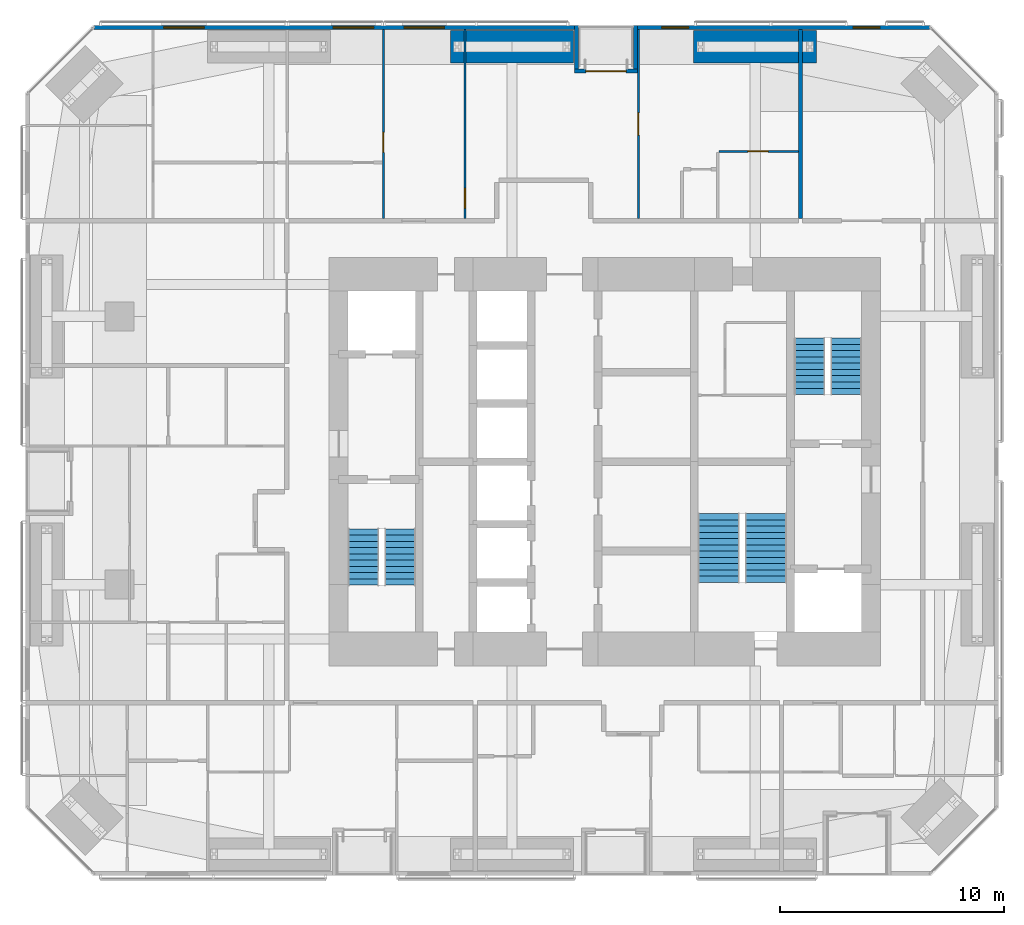
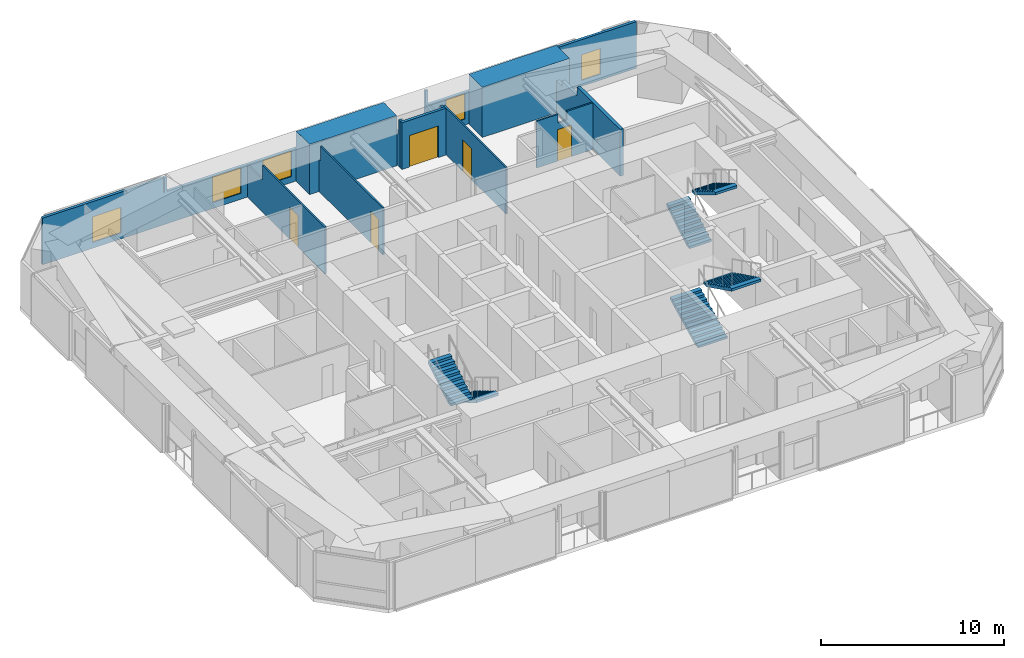
# One storey, part 22 of 23: 12 walls, 6 stair flights, 5 doors, 5 windows, 10 openings, 3 elements without a shape of their own.
"""IFC4 building model written with IfcOpenShell, lengths in metres."""

from ifc_helpers import new_model, si_unit, direction, frame, frame_2d, origin, place, context, subcontext, project, spatial, polyline, rectangle, outline, extrude, material, layer, layer_set, constituent, constituent_set, type_object, element, fill, aggregate, save


model = new_model("IFC4")

# Units and contexts
model_context = context("Model", 3, precision=1e-05, world=origin(), true_north=direction((0.0, 1.0)))
body_context = subcontext(model_context, "Body", "Model", "MODEL_VIEW")
ifc_project = project(units=[si_unit("LENGTHUNIT", "METRE"), si_unit("AREAUNIT", "SQUARE_METRE"), si_unit("VOLUMEUNIT", "CUBIC_METRE"), si_unit("PLANEANGLEUNIT", "RADIAN"), si_unit("MASSUNIT", "GRAM", prefix="KILO")], contexts=[model_context])

# Site, building, storey
site_placement = place(None, origin())
site = spatial("IfcSite", under=ifc_project, at=site_placement, CompositionType="ELEMENT")
building_placement = place(site_placement, origin())
building = spatial("IfcBuilding", under=site, at=building_placement, Name="Jalousie Tower", CompositionType="ELEMENT")
storey_placement = place(building_placement, frame((0.0, 0.0, 111.550048828125)))
storey = spatial("IfcBuildingStorey", under=building, at=storey_placement, Name="L30", CompositionType="ELEMENT", Elevation=111.550048828125)

# Wall, openings, windows
ifc_material_1 = material(Name="Concrete f'c 40 MPa", Category="concrete")
ifc_constituent_1 = constituent(ifc_material_1, Name="Body")
ifc_material_2 = material(Name="Render, pastel sea green")
ifc_constituent_2 = constituent(ifc_material_2, Name="Finish")
ifc_constituent_set_1 = constituent_set(constituents=[ifc_constituent_1, ifc_constituent_2])
wall_type_1 = type_object("IfcWallType", Name="EXTERNAL WALL 175 SEA GREEN RENDER", PredefinedType="SOLIDWALL", material=ifc_constituent_set_1)
wall_1_placement = place(storey_placement, frame((46.44873046875, 37.91259765625, 0.0), z_axis=(0.0, 0.0, 1.0), x_axis=(-1.0, 0.0, 0.0)))
wall_1 = element("IfcWall", 1, at=wall_1_placement, inside=storey, type_object=wall_type_1, Name="External Wall 175 Sea Green Render L30", PredefinedType="SOLIDWALL", context=body_context, shape_type="SweptSolid", body=[
    extrude(outline(polyline([(0.0, 0.0), (13.09814453125, 0.0), (13.09814453125, 2.14990234375), (7.82373046875, 2.14990234375), (7.82373046875, 3.10986328125), (7.66552734375, 3.10986328125), (7.66552734375, 2.14990234375), (7.620361328125, 2.14990234375), (7.620361328125, 3.10986328125), (0.0, 3.10986328125), (0.0, 0.0)])), frame((0.0, 0.08740234375, 0.0), z_axis=(0.0, -1.0, 0.0), x_axis=(1.0, 0.0, 0.0)), (0.0, 0.0, 1.0), 0.175048828125),
])
opening_1_placement = place(wall_1_placement, frame((2.24951171875, 0.0, 0.39990234375)))
opening_1 = element("IfcOpeningElement", 2, at=opening_1_placement, cuts=wall_1, Name="Opening W-COR170", PredefinedType="OPENING", context=body_context, shape_type="SweptSolid", body=[
    extrude(rectangle(XDim=1.199951171875, YDim=1.699951171875, at=frame_2d((0.60009765625, 0.85009765625))), frame((0.0, 0.097412109375, 0.0), z_axis=(0.0, -1.0, 0.0), x_axis=(1.0, 0.0, 0.0)), (0.0, 0.0, 1.0), 0.195068359375),
])
opening_2_placement = place(wall_1_placement, frame((10.798095703125, 0.0, 0.39990234375)))
opening_2 = element("IfcOpeningElement", 3, at=opening_2_placement, cuts=wall_1, Name="Opening W-COR170", PredefinedType="OPENING", context=body_context, shape_type="SweptSolid", body=[
    extrude(rectangle(XDim=1.199951171875, YDim=1.699951171875, at=frame_2d((0.60009765625, 0.85009765625))), frame((0.0, 0.097412109375, 0.0), z_axis=(0.0, -1.0, 0.0), x_axis=(1.0, 0.0, 0.0)), (0.0, 0.0, 1.0), 0.195068359375),
])
ifc_material_3 = material(Name="Aluminium frame, impact-rated glazing", Category="aluminium")
window_type_1 = type_object("IfcWindowType", Name="WINDOW COR 1200x1700", PartitioningType="SINGLE_PANEL", PredefinedType="WINDOW", material=ifc_material_3)
window_1_placement = place(opening_1_placement, origin())
window_1 = element("IfcWindow", 4, at=window_1_placement, inside=storey, type_object=window_type_1, Name="Residents' games room window", OverallHeight=1.699951171875, OverallWidth=1.199951171875, PartitioningType="SINGLE_PANEL", PredefinedType="WINDOW", context=body_context, shape_type="SweptSolid", body=[
    extrude(rectangle(XDim=1.199951171875, YDim=1.699951171875, at=frame_2d((0.60009765625, 0.85009765625))), frame((0.0, 0.030029296875, 0.0), z_axis=(0.0, -1.0, 0.0), x_axis=(1.0, 0.0, 0.0)), (0.0, 0.0, 1.0), 0.06005859375),
])
fill(opening_1, window_1)
window_2_placement = place(opening_2_placement, origin())
window_2 = element("IfcWindow", 5, at=window_2_placement, inside=storey, type_object=window_type_1, Name="Apartment 3004 dining room window", OverallHeight=1.699951171875, OverallWidth=1.199951171875, PartitioningType="SINGLE_PANEL", PredefinedType="WINDOW", context=body_context, shape_type="SweptSolid", body=[
    extrude(rectangle(XDim=1.199951171875, YDim=1.699951171875, at=frame_2d((0.60009765625, 0.85009765625))), frame((0.0, 0.030029296875, 0.0), z_axis=(0.0, -1.0, 0.0), x_axis=(1.0, 0.0, 0.0)), (0.0, 0.0, 1.0), 0.06005859375),
])
fill(opening_2, window_2)

wall_2_placement = place(storey_placement, frame((30.550537109375, 37.91259765625, 0.0), z_axis=(0.0, 0.0, 1.0), x_axis=(-1.0, 0.0, 0.0)))
wall_2 = element("IfcWall", 6, at=wall_2_placement, inside=storey, type_object=wall_type_1, Name="External Wall 175 Sea Green Render L30", PredefinedType="SOLIDWALL", context=body_context, shape_type="SweptSolid", body=[
    extrude(outline(polyline([(0.0, 0.0), (21.499267578125, 0.0), (21.499267578125, 3.10986328125), (13.87890625, 3.10986328125), (13.87890625, 2.14990234375), (13.833740234375, 2.14990234375), (13.833740234375, 3.10986328125), (13.675537109375, 3.10986328125), (13.675537109375, 2.14990234375), (0.0, 2.14990234375), (0.0, 0.0)])), frame((0.0, 0.08740234375, 0.0), z_axis=(0.0, -1.0, 0.0), x_axis=(1.0, 0.0, 0.0)), (0.0, 0.0, 1.0), 0.175048828125),
])
opening_3_placement = place(wall_2_placement, frame((5.82568359375, 0.0, 0.39990234375)))
opening_3 = element("IfcOpeningElement", 7, at=opening_3_placement, cuts=wall_2, Name="Opening W-BED170", PredefinedType="OPENING", context=body_context, shape_type="SweptSolid", body=[
    extrude(rectangle(XDim=1.800048828125, YDim=1.699951171875, at=frame_2d((0.89990234375, 0.85009765625))), frame((0.0, 0.097412109375, 0.0), z_axis=(0.0, -1.0, 0.0), x_axis=(1.0, 0.0, 0.0)), (0.0, 0.0, 1.0), 0.195068359375),
])
opening_4_placement = place(wall_2_placement, frame((8.9931640625, 0.0, 0.39990234375)))
opening_4 = element("IfcOpeningElement", 8, at=opening_4_placement, cuts=wall_2, Name="Opening W-BED170", PredefinedType="OPENING", context=body_context, shape_type="SweptSolid", body=[
    extrude(rectangle(XDim=1.800048828125, YDim=1.699951171875, at=frame_2d((0.89990234375, 0.85009765625))), frame((0.0, 0.097412109375, 0.0), z_axis=(0.0, -1.0, 0.0), x_axis=(1.0, 0.0, 0.0)), (0.0, 0.0, 1.0), 0.195068359375),
])
opening_5_placement = place(wall_2_placement, frame((16.565673828125, 0.0, 0.39990234375)))
opening_5 = element("IfcOpeningElement", 9, at=opening_5_placement, cuts=wall_2, Name="Opening W-BED170", PredefinedType="OPENING", context=body_context, shape_type="SweptSolid", body=[
    extrude(rectangle(XDim=1.800048828125, YDim=1.699951171875, at=frame_2d((0.89990234375, 0.85009765625))), frame((0.0, 0.097412109375, 0.0), z_axis=(0.0, -1.0, 0.0), x_axis=(1.0, 0.0, 0.0)), (0.0, 0.0, 1.0), 0.195068359375),
])
ifc_material_4 = material(Name="Aluminium frame, impact-rated glazing", Category="aluminium")
window_type_2 = type_object("IfcWindowType", Name="WINDOW BED 1800x1700", PartitioningType="SINGLE_PANEL", PredefinedType="WINDOW", material=ifc_material_4)
window_3_placement = place(opening_3_placement, origin())
window_3 = element("IfcWindow", 10, at=window_3_placement, inside=storey, type_object=window_type_2, Name="Apartment 3004 study window", OverallHeight=1.699951171875, OverallWidth=1.800048828125, PartitioningType="SINGLE_PANEL", PredefinedType="WINDOW", context=body_context, shape_type="SweptSolid", body=[
    extrude(rectangle(XDim=1.800048828125, YDim=1.699951171875, at=frame_2d((0.89990234375, 0.85009765625))), frame((0.0, 0.030029296875, 0.0), z_axis=(0.0, -1.0, 0.0), x_axis=(1.0, 0.0, 0.0)), (0.0, 0.0, 1.0), 0.06005859375),
])
fill(opening_3, window_3)
window_4_placement = place(opening_4_placement, origin())
window_4 = element("IfcWindow", 11, at=window_4_placement, inside=storey, type_object=window_type_2, Name="Apartment 3004 bedroom 3 window", OverallHeight=1.699951171875, OverallWidth=1.800048828125, PartitioningType="SINGLE_PANEL", PredefinedType="WINDOW", context=body_context, shape_type="SweptSolid", body=[
    extrude(rectangle(XDim=1.800048828125, YDim=1.699951171875, at=frame_2d((0.89990234375, 0.85009765625))), frame((0.0, 0.030029296875, 0.0), z_axis=(0.0, -1.0, 0.0), x_axis=(1.0, 0.0, 0.0)), (0.0, 0.0, 1.0), 0.06005859375),
])
fill(opening_4, window_4)
window_5_placement = place(opening_5_placement, origin())
window_5 = element("IfcWindow", 12, at=window_5_placement, inside=storey, type_object=window_type_2, Name="Apartment 3004 bedroom 2 window", OverallHeight=1.699951171875, OverallWidth=1.800048828125, PartitioningType="SINGLE_PANEL", PredefinedType="WINDOW", context=body_context, shape_type="SweptSolid", body=[
    extrude(rectangle(XDim=1.800048828125, YDim=1.699951171875, at=frame_2d((0.89990234375, 0.85009765625))), frame((0.0, 0.030029296875, 0.0), z_axis=(0.0, -1.0, 0.0), x_axis=(1.0, 0.0, 0.0)), (0.0, 0.0, 1.0), 0.06005859375),
])
fill(opening_5, window_5)

# Wall, opening, door
wall_3_placement = place(storey_placement, frame((33.3505859375, 35.96240234375, 0.0), z_axis=(0.0, 0.0, 1.0), x_axis=(-1.0, 0.0, 0.0)))
wall_3 = element("IfcWall", 13, at=wall_3_placement, inside=storey, type_object=wall_type_1, Name="External Wall 175 Sea Green Render L30", PredefinedType="SOLIDWALL", context=body_context, shape_type="SweptSolid", body=[
    extrude(rectangle(XDim=2.800048828125, YDim=0.175048828125, at=frame_2d((1.39990234375, 0.0))), origin(), (0.0, 0.0, 1.0), 3.10986328125),
])
opening_6_placement = place(wall_3_placement, frame((0.5, 0.0, 0.0)))
opening_6 = element("IfcOpeningElement", 14, at=opening_6_placement, cuts=wall_3, Name="Opening D-BAL21", PredefinedType="OPENING", context=body_context, shape_type="SweptSolid", body=[
    extrude(rectangle(XDim=1.800048828125, YDim=2.10009765625, at=frame_2d((0.89990234375, 1.050048828125))), frame((0.0, 0.097412109375, 0.0), z_axis=(0.0, -1.0, 0.0), x_axis=(1.0, 0.0, 0.0)), (0.0, 0.0, 1.0), 0.195068359375),
])
ifc_material_5 = material(Name="Aluminium frame, impact-rated glazing", Category="aluminium")
door_type_1 = type_object("IfcDoorType", Name="BALCONY DOOR 1800x2100", OperationType="SLIDING_TO_LEFT", PredefinedType="DOOR", material=ifc_material_5)
door_1_placement = place(opening_6_placement, origin())
door_1 = element("IfcDoor", 15, at=door_1_placement, inside=storey, type_object=door_type_1, Name="Apartment 3004 living room loggia door", OperationType="SLIDING_TO_LEFT", OverallHeight=2.10009765625, OverallWidth=1.800048828125, PredefinedType="DOOR", context=body_context, shape_type="SweptSolid", body=[
    extrude(rectangle(XDim=1.800048828125, YDim=2.10009765625, at=frame_2d((0.89990234375, 1.050048828125))), frame((0.0, 0.02490234375, 0.0), z_axis=(0.0, -1.0, 0.0), x_axis=(1.0, 0.0, 0.0)), (0.0, 0.0, 1.0), 0.050048828125),
])
fill(opening_6, door_1)

# Walls
for number, where, z_axis, x_axis, name in (
    (16, (33.26318359375, 38.0, 0.0), (0.0, 0.0, 1.0), (0.0, -1.0, 0.0), "External Wall 175 Sea Green Render L30"),
    (17, (30.63818359375, 38.0, 0.0), (0.0, 0.0, 1.0), (0.0, -1.0, 0.0), "External Wall 175 Sea Green Render L30"),
):
    element("IfcWall", number, at=place(storey_placement, frame(where, z_axis=z_axis, x_axis=x_axis)), inside=storey, type_object=wall_type_1, Name=name, PredefinedType="SOLIDWALL", context=body_context, shape_type="SweptSolid", body=[
        extrude(outline(polyline([(0.0, 0.0), (1.949951171875, 0.0), (1.949951171875, 3.10986328125), (1.75, 3.10986328125), (1.75, 2.14990234375), (0.14990234375, 2.14990234375), (0.14990234375, 3.10986328125), (0.0, 3.10986328125), (0.0, 0.0)])), frame((0.0, 0.08740234375, 0.0), z_axis=(0.0, -1.0, 0.0), x_axis=(1.0, 0.0, 0.0)), (0.0, 0.0, 1.0), 0.175048828125),
    ])

# Wall, opening, door
ifc_material_6 = material(Name="Gypsum board", Category="gypsum")
ifc_constituent_3 = constituent(ifc_material_6, Name="Body")
ifc_material_7 = material(Name="Light-gauge steel studs ASTM A653 SS Grade 33", Category="steel")
ifc_constituent_4 = constituent(ifc_material_7, Name="Framing")
ifc_constituent_set_2 = constituent_set(constituents=[ifc_constituent_3, ifc_constituent_4])
wall_type_2 = type_object("IfcWallType", Name="PARTITION 100", PredefinedType="PARTITIONING", material=ifc_constituent_set_2)
wall_4_placement = place(storey_placement, frame((22.0, 37.824951171875, 0.0), z_axis=(0.0, 0.0, 1.0), x_axis=(0.0, -1.0, 0.0)))
wall_4 = element("IfcWall", 18, at=wall_4_placement, inside=storey, type_object=wall_type_2, Name="Partition 100 L30", PredefinedType="PARTITIONING", context=body_context, shape_type="SweptSolid", body=[
    extrude(outline(polyline([(0.0, 0.0), (8.449951171875, 0.0), (8.449951171875, 3.10986328125), (1.635009765625, 3.10986328125), (1.635009765625, 2.14990234375), (0.0, 2.14990234375), (0.0, 3.10986328125), (0.0, 0.0)])), frame((0.0, 0.050048828125, 0.0), z_axis=(0.0, -1.0, 0.0), x_axis=(1.0, 0.0, 0.0)), (0.0, 0.0, 1.0), 0.10009765625),
])
opening_7_placement = place(wall_4_placement, frame((4.60009765625, 0.0, 0.0)))
opening_7 = element("IfcOpeningElement", 19, at=opening_7_placement, cuts=wall_4, Name="Opening D2", PredefinedType="OPENING", context=body_context, shape_type="SweptSolid", body=[
    extrude(rectangle(XDim=0.89990234375, YDim=2.10009765625, at=frame_2d((0.449951171875, 1.050048828125))), frame((0.0, 0.06005859375, 0.0), z_axis=(0.0, -1.0, 0.0), x_axis=(1.0, 0.0, 0.0)), (0.0, 0.0, 1.0), 0.1201171875),
])
ifc_material_8 = material(Name="Timber door", Category="wood")
door_type_2 = type_object("IfcDoorType", Name="BEDROOM DOOR 900", OperationType="SINGLE_SWING_LEFT", PredefinedType="DOOR", material=ifc_material_8)
door_2_placement = place(opening_7_placement, frame((0.89990234375, 0.0, 0.0), z_axis=(0.0, 0.0, 1.0), x_axis=(-1.0, 0.0, 0.0)))
door_2 = element("IfcDoor", 20, at=door_2_placement, inside=storey, type_object=door_type_2, Name="Apartment 3004 bedroom 3 door", OperationType="SINGLE_SWING_LEFT", OverallHeight=2.10009765625, OverallWidth=0.89990234375, PredefinedType="DOOR", context=body_context, shape_type="SweptSolid", body=[
    extrude(rectangle(XDim=0.89990234375, YDim=2.10009765625, at=frame_2d((0.449951171875, 1.050048828125))), frame((0.0, 0.02490234375, 0.0), z_axis=(0.0, -1.0, 0.0), x_axis=(1.0, 0.0, 0.0)), (0.0, 0.0, 1.0), 0.050048828125),
])
fill(opening_7, door_2)

wall_5_placement = place(storey_placement, frame((25.64990234375, 37.824951171875, 0.0), z_axis=(0.0, 0.0, 1.0), x_axis=(0.0, -1.0, 0.0)))
wall_5 = element("IfcWall", 21, at=wall_5_placement, inside=storey, type_object=wall_type_2, Name="Partition 100 L30", PredefinedType="PARTITIONING", context=body_context, shape_type="SweptSolid", body=[
    extrude(outline(polyline([(0.52880859375, 2.14990234375), (0.0, 2.14990234375), (0.0, 0.0), (0.52880859375, 0.0), (0.52880859375, 0.0341796875), (1.021240234375, 0.0341796875), (1.021240234375, 0.0), (8.449951171875, 0.0), (8.449951171875, 3.10986328125), (1.635009765625, 3.10986328125), (1.635009765625, 2.14990234375), (1.021240234375, 2.14990234375), (1.021240234375, 2.11572265625), (0.52880859375, 2.11572265625), (0.52880859375, 2.14990234375)])), frame((0.0, 0.050048828125, 0.0), z_axis=(0.0, -1.0, 0.0), x_axis=(1.0, 0.0, 0.0)), (0.0, 0.0, 1.0), 0.10009765625),
])
opening_8_placement = place(wall_5_placement, frame((7.10009765625, 0.0, 0.0)))
opening_8 = element("IfcOpeningElement", 22, at=opening_8_placement, cuts=wall_5, Name="Opening D2", PredefinedType="OPENING", context=body_context, shape_type="SweptSolid", body=[
    extrude(rectangle(XDim=0.89990234375, YDim=2.10009765625, at=frame_2d((0.449951171875, 1.050048828125))), frame((0.0, 0.06005859375, 0.0), z_axis=(0.0, -1.0, 0.0), x_axis=(1.0, 0.0, 0.0)), (0.0, 0.0, 1.0), 0.1201171875),
])
door_3_placement = place(opening_8_placement, frame((0.89990234375, 0.0, 0.0), z_axis=(0.0, 0.0, 1.0), x_axis=(-1.0, 0.0, 0.0)))
door_3 = element("IfcDoor", 23, at=door_3_placement, inside=storey, type_object=door_type_2, Name="Apartment 3004 study door", OperationType="SINGLE_SWING_LEFT", OverallHeight=2.10009765625, OverallWidth=0.89990234375, PredefinedType="DOOR", context=body_context, shape_type="SweptSolid", body=[
    extrude(rectangle(XDim=0.89990234375, YDim=2.10009765625, at=frame_2d((0.449951171875, 1.050048828125))), frame((0.0, 0.02490234375, 0.0), z_axis=(0.0, -1.0, 0.0), x_axis=(1.0, 0.0, 0.0)), (0.0, 0.0, 1.0), 0.050048828125),
])
fill(opening_8, door_3)

wall_6_placement = place(storey_placement, frame((37.0, 32.375, 0.0), z_axis=(0.0, 0.0, 1.0), x_axis=(1.0, 0.0, 0.0)))
wall_6 = element("IfcWall", 24, at=wall_6_placement, inside=storey, type_object=wall_type_2, Name="Partition 100 L30", PredefinedType="PARTITIONING", context=body_context, shape_type="SweptSolid", body=[
    extrude(outline(polyline([(0.0, 0.0), (3.550048828125, 0.0), (3.550048828125, 3.10986328125), (1.912353515625, 3.10986328125), (1.912353515625, 2.541015625), (1.337646484375, 2.541015625), (1.337646484375, 3.10986328125), (0.0, 3.10986328125), (0.0, 0.0)])), frame((0.0, 0.050048828125, 0.0), z_axis=(0.0, -1.0, 0.0), x_axis=(1.0, 0.0, 0.0)), (0.0, 0.0, 1.0), 0.10009765625),
])
opening_9_placement = place(wall_6_placement, frame((1.300048828125, 0.0, 0.0)))
opening_9 = element("IfcOpeningElement", 25, at=opening_9_placement, cuts=wall_6, Name="Opening D7", PredefinedType="OPENING", context=body_context, shape_type="SweptSolid", body=[
    extrude(rectangle(XDim=0.89990234375, YDim=2.10009765625, at=frame_2d((0.449951171875, 1.050048828125))), frame((0.0, 0.06005859375, 0.0), z_axis=(0.0, -1.0, 0.0), x_axis=(1.0, 0.0, 0.0)), (0.0, 0.0, 1.0), 0.1201171875),
])
ifc_material_9 = material(Name="Timber door", Category="wood")
door_type_3 = type_object("IfcDoorType", Name="INTERNAL DOOR 900", OperationType="SINGLE_SWING_LEFT", PredefinedType="DOOR", material=ifc_material_9)
door_4_placement = place(opening_9_placement, origin())
door_4 = element("IfcDoor", 26, at=door_4_placement, inside=storey, type_object=door_type_3, Name="Apartment 3004 kitchen door", OperationType="SINGLE_SWING_RIGHT", OverallHeight=2.10009765625, OverallWidth=0.89990234375, PredefinedType="DOOR", context=body_context, shape_type="SweptSolid", body=[
    extrude(rectangle(XDim=0.89990234375, YDim=2.10009765625, at=frame_2d((0.449951171875, 1.050048828125))), frame((0.0, 0.02490234375, 0.0), z_axis=(0.0, -1.0, 0.0), x_axis=(1.0, 0.0, 0.0)), (0.0, 0.0, 1.0), 0.050048828125),
])
fill(opening_9, door_4)

wall_7_placement = place(storey_placement, frame((33.400634765625, 37.824951171875, 0.0), z_axis=(0.0, 0.0, 1.0), x_axis=(0.0, -1.0, 0.0)))
wall_7 = element("IfcWall", 27, at=wall_7_placement, inside=storey, type_object=wall_type_2, Name="Partition 100 L30", PredefinedType="PARTITIONING", context=body_context, shape_type="SweptSolid", body=[
    extrude(outline(polyline([(0.0, 0.0), (8.449951171875, 0.0), (8.449951171875, 3.10986328125), (1.635009765625, 3.10986328125), (1.635009765625, 2.14990234375), (0.0, 2.14990234375), (0.0, 3.10986328125), (0.0, 0.0)])), frame((0.0, 0.050048828125, 0.0), z_axis=(0.0, -1.0, 0.0), x_axis=(1.0, 0.0, 0.0)), (0.0, 0.0, 1.0), 0.10009765625),
])
opening_10_placement = place(wall_7_placement, frame((3.72509765625, 0.0, 0.0)))
opening_10 = element("IfcOpeningElement", 28, at=opening_10_placement, cuts=wall_7, Name="Opening D6", PredefinedType="OPENING", context=body_context, shape_type="SweptSolid", body=[
    extrude(rectangle(XDim=1.0, YDim=2.10009765625, at=frame_2d((0.5, 1.050048828125))), frame((0.0, 0.06005859375, 0.0), z_axis=(0.0, -1.0, 0.0), x_axis=(1.0, 0.0, 0.0)), (0.0, 0.0, 1.0), 0.1201171875),
])
ifc_material_10 = material(Name="Timber door", Category="wood")
door_type_4 = type_object("IfcDoorType", Name="INTERNAL DOOR 1000", OperationType="SINGLE_SWING_LEFT", PredefinedType="DOOR", material=ifc_material_10)
door_5_placement = place(opening_10_placement, origin())
door_5 = element("IfcDoor", 29, at=door_5_placement, inside=storey, type_object=door_type_4, Name="Apartment 3004 dining room door", OperationType="SINGLE_SWING_LEFT", OverallHeight=2.10009765625, OverallWidth=1.0, PredefinedType="DOOR", context=body_context, shape_type="SweptSolid", body=[
    extrude(rectangle(XDim=1.0, YDim=2.10009765625, at=frame_2d((0.5, 1.050048828125))), frame((0.0, 0.02490234375, 0.0), z_axis=(0.0, -1.0, 0.0), x_axis=(1.0, 0.0, 0.0)), (0.0, 0.0, 1.0), 0.050048828125),
])
fill(opening_10, door_5)

# Walls
ifc_material_11 = material(Name="Concrete block ASTM C90", Category="concrete")
ifc_constituent_5 = constituent(ifc_material_11, Name="Body")
ifc_material_12 = material(Name="Render")
ifc_constituent_6 = constituent(ifc_material_12, Name="Finish")
ifc_constituent_set_3 = constituent_set(constituents=[ifc_constituent_5, ifc_constituent_6])
wall_type_3 = type_object("IfcWallType", Name="PARTY WALL 200", PredefinedType="PARTITIONING", material=ifc_constituent_set_3)
wall_8_placement = place(storey_placement, frame((40.64990234375, 37.824951171875, 0.0), z_axis=(0.0, 0.0, 1.0), x_axis=(0.0, -1.0, 0.0)))
element("IfcWall", 30, at=wall_8_placement, inside=storey, type_object=wall_type_3, Name="Party Wall 200 L30", PredefinedType="PARTITIONING", context=body_context, shape_type="SweptSolid", body=[
    extrude(outline(polyline([(0.25927734375, 3.10986328125), (0.0, 3.10986328125), (0.0, 0.0), (0.52880859375, 0.0), (0.52880859375, 0.11962890625), (1.021240234375, 0.11962890625), (1.021240234375, 0.0), (8.449951171875, 0.0), (8.449951171875, 3.10986328125), (3.766357421875, 3.10986328125), (3.766357421875, 2.510009765625), (2.11669921875, 2.510009765625), (2.11669921875, 2.14990234375), (1.021240234375, 2.14990234375), (1.021240234375, 2.0302734375), (0.52880859375, 2.0302734375), (0.52880859375, 2.14990234375), (0.25927734375, 2.14990234375), (0.25927734375, 3.10986328125)])), frame((0.0, 0.10009765625, 0.0), z_axis=(0.0, -1.0, 0.0), x_axis=(1.0, 0.0, 0.0)), (0.0, 0.0, 1.0), 0.199951171875),
])
ifc_material_13 = material(Name="Concrete f'c 120 MPa", Category="concrete")
ifc_layer = layer(ifc_material_13, 1.449951171875)
ifc_layer_set = layer_set([ifc_layer], Name="Concrete f'c 120 MPa")
wall_type_4 = type_object("IfcWallType", Name="RC WALL PIER 1450", PredefinedType="SHEAR", material=ifc_layer_set)
for number, where, z_axis, x_axis, name in (
    (31, (35.875, 37.050048828125, 0.0), (0.0, 0.0, 1.0), (1.0, 0.0, 0.0), "Wall pier 09 L30"),
    (32, (25.0, 37.050048828125, 0.0), (0.0, 0.0, 1.0), (1.0, 0.0, 0.0), "Wall pier 10 L30"),
):
    element("IfcWall", number, at=place(storey_placement, frame(where, z_axis=z_axis, x_axis=x_axis)), inside=storey, type_object=wall_type_4, Name=name, PredefinedType="SHEAR", context=body_context, shape_type="SweptSolid", body=[
        extrude(rectangle(XDim=5.5, YDim=1.449951171875, at=frame_2d((2.75, 0.0))), origin(), (0.0, 0.0, 1.0), 3.349853515625),
    ])

# Stair, stair flights
ifc_material_14 = material(Name="Concrete f'c 40 MPa", Category="concrete")
stair_type = type_object("IfcStairType", Name="EXIT STAIR", PredefinedType="HALF_TURN_STAIR", material=ifc_material_14)
stair_1_placement = place(storey_placement, origin())
stair_1 = element("IfcStair", 33, at=stair_1_placement, inside=storey, type_object=stair_type, Name="Exit stair A L30", PredefinedType="HALF_TURN_STAIR")
ifc_material_15 = material(Name="Concrete f'c 40 MPa", Category="concrete")
stair_flight_type = type_object("IfcStairFlightType", Name="STAIR FLIGHT", PredefinedType="STRAIGHT", material=ifc_material_15)
stair_flight_1_placement = place(storey_placement, frame((22.737548828125, 15.49755859375, 0.0), z_axis=(0.0, 0.0, 1.0), x_axis=(0.0, -1.0, 0.0)))
stair_flight_1 = element("IfcStairFlight", 34, at=stair_flight_1_placement, type_object=stair_flight_type, Name="ST-A flight 1", NumberOfRisers=10, NumberOfTreads=9, PredefinedType="STRAIGHT", RiserHeight=0.1675, TreadLength=0.28, context=body_context, shape_type="SweptSolid", body=[
    extrude(outline(polyline([(0.0, 0.0), (0.0, 0.16748046875), (0.280029296875, 0.16748046875), (0.280029296875, 0.3349609375), (0.56005859375, 0.3349609375), (0.56005859375, 0.50244140625), (0.840087890625, 0.50244140625), (0.840087890625, 0.669921875), (1.1201171875, 0.669921875), (1.1201171875, 0.83740234375), (1.39990234375, 0.83740234375), (1.39990234375, 1.0048828125), (1.679931640625, 1.0048828125), (1.679931640625, 1.172607421875), (1.9599609375, 1.172607421875), (1.9599609375, 1.340087890625), (2.239990234375, 1.340087890625), (2.239990234375, 1.507568359375), (2.52001953125, 1.507568359375), (2.52001953125, 1.675048828125), (2.52001953125, 1.332763671875), (0.2919921875, 0.0), (0.0, 0.0)])), frame((0.0, 0.6875, 0.0), z_axis=(0.0, -1.0, 0.0), x_axis=(1.0, 0.0, 0.0)), (0.0, 0.0, 1.0), 1.375),
])
stair_flight_2_placement = place(storey_placement, frame((21.112548828125, 12.9775390625, 1.675048828125), z_axis=(0.0, 0.0, 1.0), x_axis=(0.0, 1.0, 0.0)))
stair_flight_2 = element("IfcStairFlight", 35, at=stair_flight_2_placement, type_object=stair_flight_type, Name="ST-A flight 2", NumberOfRisers=10, NumberOfTreads=9, PredefinedType="STRAIGHT", RiserHeight=0.1675, TreadLength=0.28, context=body_context, shape_type="SweptSolid", body=[
    extrude(outline(polyline([(0.0, 0.0), (0.0, 0.16748046875), (0.280029296875, 0.16748046875), (0.280029296875, 0.3349609375), (0.56005859375, 0.3349609375), (0.56005859375, 0.50244140625), (0.840087890625, 0.50244140625), (0.840087890625, 0.669921875), (1.1201171875, 0.669921875), (1.1201171875, 0.83740234375), (1.39990234375, 0.83740234375), (1.39990234375, 1.0048828125), (1.679931640625, 1.0048828125), (1.679931640625, 1.172607421875), (1.9599609375, 1.172607421875), (1.9599609375, 1.340087890625), (2.239990234375, 1.340087890625), (2.239990234375, 1.507568359375), (2.52001953125, 1.507568359375), (2.52001953125, 1.675048828125), (2.52001953125, 1.332763671875), (0.2919921875, 0.0), (0.0, 0.0)])), frame((0.0, 0.6875, 0.0), z_axis=(0.0, -1.0, 0.0), x_axis=(1.0, 0.0, 0.0)), (0.0, 0.0, 1.0), 1.375),
])
aggregate(stair_1, [stair_flight_1, stair_flight_2])

stair_2_placement = place(storey_placement, origin())
stair_2 = element("IfcStair", 36, at=stair_2_placement, inside=storey, type_object=stair_type, Name="Exit stair B L30", PredefinedType="HALF_TURN_STAIR")
stair_flight_3_placement = place(storey_placement, frame((41.0625, 21.50244140625, 0.0), z_axis=(0.0, 0.0, 1.0), x_axis=(0.0, 1.0, 0.0)))
stair_flight_3 = element("IfcStairFlight", 37, at=stair_flight_3_placement, type_object=stair_flight_type, Name="ST-B flight 1", NumberOfRisers=10, NumberOfTreads=9, PredefinedType="STRAIGHT", RiserHeight=0.1675, TreadLength=0.28, context=body_context, shape_type="SweptSolid", body=[
    extrude(outline(polyline([(0.0, 0.0), (0.0, 0.16748046875), (0.280029296875, 0.16748046875), (0.280029296875, 0.3349609375), (0.56005859375, 0.3349609375), (0.56005859375, 0.50244140625), (0.840087890625, 0.50244140625), (0.840087890625, 0.669921875), (1.1201171875, 0.669921875), (1.1201171875, 0.83740234375), (1.39990234375, 0.83740234375), (1.39990234375, 1.0048828125), (1.679931640625, 1.0048828125), (1.679931640625, 1.172607421875), (1.9599609375, 1.172607421875), (1.9599609375, 1.340087890625), (2.239990234375, 1.340087890625), (2.239990234375, 1.507568359375), (2.52001953125, 1.507568359375), (2.52001953125, 1.675048828125), (2.52001953125, 1.332763671875), (0.2919921875, 0.0), (0.0, 0.0)])), frame((0.0, 0.6875, 0.0), z_axis=(0.0, -1.0, 0.0), x_axis=(1.0, 0.0, 0.0)), (0.0, 0.0, 1.0), 1.375),
])
stair_flight_4_placement = place(storey_placement, frame((42.6875, 24.0224609375, 1.675048828125), z_axis=(0.0, 0.0, 1.0), x_axis=(0.0, -1.0, 0.0)))
stair_flight_4 = element("IfcStairFlight", 38, at=stair_flight_4_placement, type_object=stair_flight_type, Name="ST-B flight 2", NumberOfRisers=10, NumberOfTreads=9, PredefinedType="STRAIGHT", RiserHeight=0.1675, TreadLength=0.28, context=body_context, shape_type="SweptSolid", body=[
    extrude(outline(polyline([(0.0, 0.0), (0.0, 0.16748046875), (0.280029296875, 0.16748046875), (0.280029296875, 0.3349609375), (0.56005859375, 0.3349609375), (0.56005859375, 0.50244140625), (0.840087890625, 0.50244140625), (0.840087890625, 0.669921875), (1.1201171875, 0.669921875), (1.1201171875, 0.83740234375), (1.39990234375, 0.83740234375), (1.39990234375, 1.0048828125), (1.679931640625, 1.0048828125), (1.679931640625, 1.172607421875), (1.9599609375, 1.172607421875), (1.9599609375, 1.340087890625), (2.239990234375, 1.340087890625), (2.239990234375, 1.507568359375), (2.52001953125, 1.507568359375), (2.52001953125, 1.675048828125), (2.52001953125, 1.332763671875), (0.2919921875, 0.0), (0.0, 0.0)])), frame((0.0, 0.6875, 0.0), z_axis=(0.0, -1.0, 0.0), x_axis=(1.0, 0.0, 0.0)), (0.0, 0.0, 1.0), 1.375),
])
aggregate(stair_2, [stair_flight_3, stair_flight_4])

stair_3_placement = place(storey_placement, origin())
stair_3 = element("IfcStair", 39, at=stair_3_placement, inside=storey, type_object=stair_type, Name="Exit stair C L30", PredefinedType="HALF_TURN_STAIR")
stair_flight_5_placement = place(storey_placement, frame((37.0, 13.097412109375, 0.0), z_axis=(0.0, 0.0, 1.0), x_axis=(0.0, 1.0, 0.0)))
stair_flight_5 = element("IfcStairFlight", 40, at=stair_flight_5_placement, type_object=stair_flight_type, Name="ST-C flight 1", NumberOfRisers=12, NumberOfTreads=11, PredefinedType="STRAIGHT", RiserHeight=0.139583333, TreadLength=0.28, context=body_context, shape_type="SweptSolid", body=[
    extrude(outline(polyline([(0.0, 0.0), (0.0, 0.1396484375), (0.280029296875, 0.1396484375), (0.280029296875, 0.279052734375), (0.56005859375, 0.279052734375), (0.56005859375, 0.418701171875), (0.840087890625, 0.418701171875), (0.840087890625, 0.558349609375), (1.1201171875, 0.558349609375), (1.1201171875, 0.697998046875), (1.39990234375, 0.697998046875), (1.39990234375, 0.83740234375), (1.679931640625, 0.83740234375), (1.679931640625, 0.97705078125), (1.9599609375, 0.97705078125), (1.9599609375, 1.11669921875), (2.239990234375, 1.11669921875), (2.239990234375, 1.25634765625), (2.52001953125, 1.25634765625), (2.52001953125, 1.395751953125), (2.800048828125, 1.395751953125), (2.800048828125, 1.535400390625), (3.080078125, 1.535400390625), (3.080078125, 1.675048828125), (3.080078125, 1.367919921875), (0.3359375, 0.0), (0.0, 0.0)])), frame((0.0, 0.925048828125, 0.0), z_axis=(0.0, -1.0, 0.0), x_axis=(1.0, 0.0, 0.0)), (0.0, 0.0, 1.0), 1.85009765625),
])
stair_flight_6_placement = place(storey_placement, frame((39.10009765625, 16.177490234375, 1.675048828125), z_axis=(0.0, 0.0, 1.0), x_axis=(0.0, -1.0, 0.0)))
stair_flight_6 = element("IfcStairFlight", 41, at=stair_flight_6_placement, type_object=stair_flight_type, Name="ST-C flight 2", NumberOfRisers=12, NumberOfTreads=11, PredefinedType="STRAIGHT", RiserHeight=0.139583333, TreadLength=0.28, context=body_context, shape_type="SweptSolid", body=[
    extrude(outline(polyline([(0.0, 0.0), (0.0, 0.1396484375), (0.280029296875, 0.1396484375), (0.280029296875, 0.279052734375), (0.56005859375, 0.279052734375), (0.56005859375, 0.418701171875), (0.840087890625, 0.418701171875), (0.840087890625, 0.558349609375), (1.1201171875, 0.558349609375), (1.1201171875, 0.697998046875), (1.39990234375, 0.697998046875), (1.39990234375, 0.83740234375), (1.679931640625, 0.83740234375), (1.679931640625, 0.97705078125), (1.9599609375, 0.97705078125), (1.9599609375, 1.11669921875), (2.239990234375, 1.11669921875), (2.239990234375, 1.25634765625), (2.52001953125, 1.25634765625), (2.52001953125, 1.395751953125), (2.800048828125, 1.395751953125), (2.800048828125, 1.535400390625), (3.080078125, 1.535400390625), (3.080078125, 1.675048828125), (3.080078125, 1.367919921875), (0.3359375, 0.0), (0.0, 0.0)])), frame((0.0, 0.925048828125, 0.0), z_axis=(0.0, -1.0, 0.0), x_axis=(1.0, 0.0, 0.0)), (0.0, 0.0, 1.0), 1.85009765625),
])
aggregate(stair_3, [stair_flight_5, stair_flight_6])

save(model, "model.ifc")
